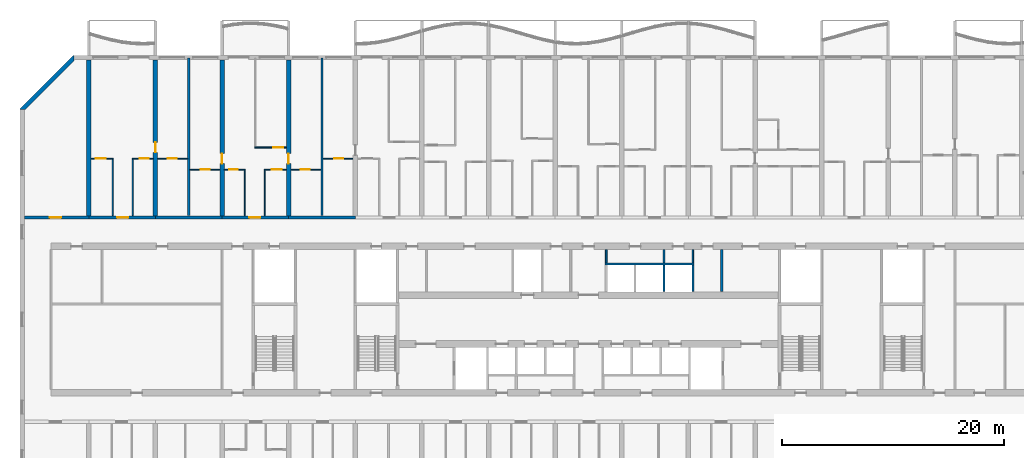
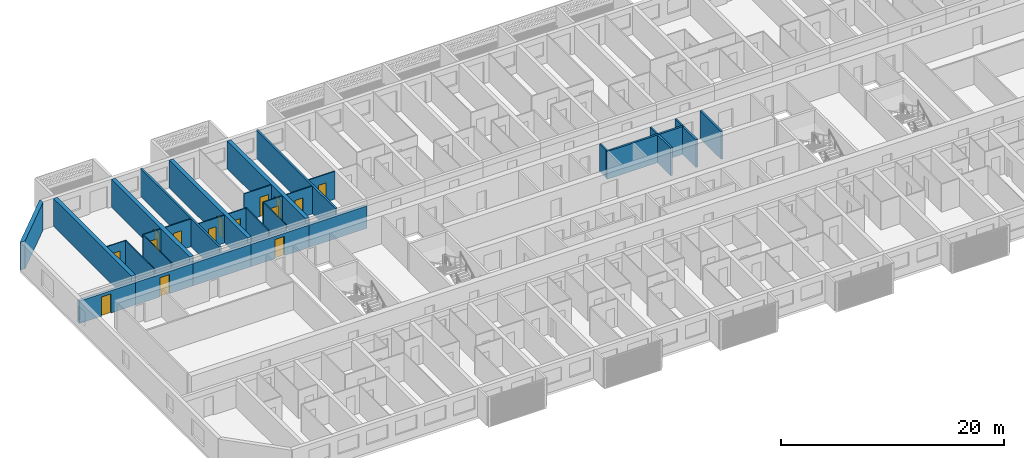
# One storey, part 12 of 44: 32 walls, 15 doors, 15 openings.
"""IFC4 building model written with IfcOpenShell, lengths in metres."""

from ifc_helpers import new_model, si_unit, direction, frame, frame_2d, origin, place, context, subcontext, project, spatial, polyline, rectangle, outline, extrude, material, layer, layer_set, type_object, element, fill, save


model = new_model("IFC4")

# Units and contexts
model_context = context("Model", 3, precision=1e-05, world=origin(), true_north=direction((0.0, 1.0)))
body_context = subcontext(model_context, "Body", "Model", "MODEL_VIEW")
ifc_project = project(units=[si_unit("LENGTHUNIT", "METRE"), si_unit("AREAUNIT", "SQUARE_METRE"), si_unit("VOLUMEUNIT", "CUBIC_METRE"), si_unit("PLANEANGLEUNIT", "RADIAN"), si_unit("MASSUNIT", "GRAM", prefix="KILO")], contexts=[model_context])

# Site, building, storey
site_placement = place(None, origin())
site = spatial("IfcSite", under=ifc_project, at=site_placement, CompositionType="ELEMENT")
building_placement = place(site_placement, origin())
building = spatial("IfcBuilding", under=site, at=building_placement, Name="Poui Terraces", CompositionType="ELEMENT")
storey_placement = place(building_placement, frame((0.0, 0.0, 26.699951171875)))
storey = spatial("IfcBuildingStorey", under=building, at=storey_placement, Name="L06", CompositionType="ELEMENT", Elevation=26.699951171875)

# Wall
ifc_material_1 = material(Name="Fire-rated plasterboard wall")
ifc_layer_1 = layer(ifc_material_1, 0.14990234375)
ifc_layer_set_1 = layer_set([ifc_layer_1], Name="Fire-rated plasterboard wall")
wall_type_1 = type_object("IfcWallType", Name="CORRIDOR WALL 150", PredefinedType="PARTITIONING", material=ifc_layer_set_1)
wall_1_placement = place(storey_placement, frame((52.60009765625, 26.300048828125, 0.0), z_axis=(0.0, 0.0, 1.0), x_axis=(0.0, 1.0, 0.0)))
element("IfcWall", 1, at=wall_1_placement, inside=storey, type_object=wall_type_1, Name="CORRIDOR WALL 150", PredefinedType="PARTITIONING", context=body_context, shape_type="SweptSolid", body=[
    extrude(rectangle(XDim=1.18994140625, YDim=0.14990234375, at=frame_2d((0.594970703125, 0.0))), origin(), (0.0, 0.0, 1.0), 3.050048828125),
])

# Wall, opening, door
ifc_material_2 = material(Name="Concrete 80 MPa", Category="concrete")
ifc_layer_2 = layer(ifc_material_2, 0.300048828125)
ifc_layer_set_2 = layer_set([ifc_layer_2], Name="Concrete 80 MPa")
wall_type_2 = type_object("IfcWallType", Name="CORRIDOR WALL 300 80MPa", PredefinedType="SHEAR", material=ifc_layer_set_2)
wall_2_placement = place(storey_placement, frame((0.199951171875, 30.39990234375, 0.0), z_axis=(0.0, 0.0, 1.0), x_axis=(1.0, 0.0, 0.0)))
wall_2 = element("IfcWall", 2, at=wall_2_placement, inside=storey, type_object=wall_type_2, Name="CORRIDOR WALL LINE E BAY 1", PredefinedType="SHEAR", context=body_context, shape_type="SweptSolid", body=[
    extrude(rectangle(XDim=5.800048828125, YDim=0.300048828125, at=frame_2d((2.89990234375, 0.0))), origin(), (0.0, 0.0, 1.0), 2.449951171875),
])
opening_1_placement = place(wall_2_placement, frame((2.300048828125, 0.0, 0.0)))
opening_1 = element("IfcOpeningElement", 3, at=opening_1_placement, cuts=wall_2, Name="Opening D100", PredefinedType="OPENING", context=body_context, shape_type="SweptSolid", body=[
    extrude(rectangle(XDim=1.0, YDim=2.10009765625, at=frame_2d((0.5, 1.050048828125))), frame((0.0, 0.16015625, 0.0), z_axis=(0.0, -1.0, 0.0), x_axis=(1.0, 0.0, 0.0)), (0.0, 0.0, 1.0), 0.320068359375),
])
ifc_material_3 = material(Name="Solid core timber door", Category="wood")
door_type_1 = type_object("IfcDoorType", Name="ACCESSIBLE INTERNAL DOOR 1000 X 2100", OperationType="NOTDEFINED", PredefinedType="DOOR", material=ifc_material_3)
door_1_placement = place(opening_1_placement, origin())
door_1 = element("IfcDoor", 4, at=door_1_placement, inside=storey, type_object=door_type_1, Name="ACCESSIBLE INTERNAL DOOR 031", OperationType="SINGLE_SWING_LEFT", OverallHeight=2.10009765625, OverallWidth=1.0, PredefinedType="DOOR", context=body_context, shape_type="SweptSolid", body=[
    extrude(rectangle(XDim=1.0, YDim=2.10009765625, at=frame_2d((0.5, 1.050048828125))), frame((0.0, 0.02490234375, 0.0), z_axis=(0.0, -1.0, 0.0), x_axis=(1.0, 0.0, 0.0)), (0.0, 0.0, 1.0), 0.050048828125),
])
fill(opening_1, door_1)

wall_3_placement = place(storey_placement, frame((6.0, 30.39990234375, 0.0), z_axis=(0.0, 0.0, 1.0), x_axis=(1.0, 0.0, 0.0)))
wall_3 = element("IfcWall", 5, at=wall_3_placement, inside=storey, type_object=wall_type_2, Name="CORRIDOR WALL LINE E BAY 2", PredefinedType="SHEAR", context=body_context, shape_type="SweptSolid", body=[
    extrude(rectangle(XDim=6.0, YDim=0.300048828125, at=frame_2d((3.0, 0.0))), origin(), (0.0, 0.0, 1.0), 2.449951171875),
])
opening_2_placement = place(wall_3_placement, frame((2.550048828125, 0.0, 0.0)))
opening_2 = element("IfcOpeningElement", 6, at=opening_2_placement, cuts=wall_3, Name="Opening FD30S", PredefinedType="OPENING", context=body_context, shape_type="SweptSolid", body=[
    extrude(rectangle(XDim=1.0, YDim=2.10009765625, at=frame_2d((0.5, 1.050048828125))), frame((0.0, 0.16015625, 0.0), z_axis=(0.0, -1.0, 0.0), x_axis=(1.0, 0.0, 0.0)), (0.0, 0.0, 1.0), 0.320068359375),
])
ifc_material_4 = material(Name="Steel fire door", Category="steel")
door_type_2 = type_object("IfcDoorType", Name="FLAT ENTRANCE DOOR 1000 X 2100", OperationType="NOTDEFINED", PredefinedType="DOOR", material=ifc_material_4)
door_2_placement = place(opening_2_placement, origin())
door_2 = element("IfcDoor", 7, at=door_2_placement, inside=storey, type_object=door_type_2, Name="FLAT ENTRANCE DOOR 034", OperationType="SINGLE_SWING_RIGHT", OverallHeight=2.10009765625, OverallWidth=1.0, PredefinedType="DOOR", context=body_context, shape_type="SweptSolid", body=[
    extrude(rectangle(XDim=1.0, YDim=2.10009765625, at=frame_2d((0.5, 1.050048828125))), frame((0.0, 0.02490234375, 0.0), z_axis=(0.0, -1.0, 0.0), x_axis=(1.0, 0.0, 0.0)), (0.0, 0.0, 1.0), 0.050048828125),
])
fill(opening_2, door_2)

# Wall
wall_4_placement = place(storey_placement, frame((12.0, 30.39990234375, 0.0), z_axis=(0.0, 0.0, 1.0), x_axis=(1.0, 0.0, 0.0)))
element("IfcWall", 8, at=wall_4_placement, inside=storey, type_object=wall_type_2, Name="CORRIDOR WALL LINE E BAY 3", PredefinedType="SHEAR", context=body_context, shape_type="SweptSolid", body=[
    extrude(rectangle(XDim=6.0, YDim=0.300048828125, at=frame_2d((3.0, 0.0))), origin(), (0.0, 0.0, 1.0), 2.449951171875),
])

# Wall, opening, door
wall_5_placement = place(storey_placement, frame((18.0, 30.39990234375, 0.0), z_axis=(0.0, 0.0, 1.0), x_axis=(1.0, 0.0, 0.0)))
wall_5 = element("IfcWall", 9, at=wall_5_placement, inside=storey, type_object=wall_type_2, Name="CORRIDOR WALL LINE E BAY 4", PredefinedType="SHEAR", context=body_context, shape_type="SweptSolid", body=[
    extrude(rectangle(XDim=6.0, YDim=0.300048828125, at=frame_2d((3.0, 0.0))), origin(), (0.0, 0.0, 1.0), 2.449951171875),
])
opening_3_placement = place(wall_5_placement, frame((2.449951171875, 0.0, 0.0)))
opening_3 = element("IfcOpeningElement", 10, at=opening_3_placement, cuts=wall_5, Name="Opening FD30S", PredefinedType="OPENING", context=body_context, shape_type="SweptSolid", body=[
    extrude(rectangle(XDim=1.0, YDim=2.10009765625, at=frame_2d((0.5, 1.050048828125))), frame((0.0, 0.16015625, 0.0), z_axis=(0.0, -1.0, 0.0), x_axis=(1.0, 0.0, 0.0)), (0.0, 0.0, 1.0), 0.320068359375),
])
door_3_placement = place(opening_3_placement, origin())
door_3 = element("IfcDoor", 11, at=door_3_placement, inside=storey, type_object=door_type_2, Name="FLAT ENTRANCE DOOR 041", OperationType="SINGLE_SWING_LEFT", OverallHeight=2.10009765625, OverallWidth=1.0, PredefinedType="DOOR", context=body_context, shape_type="SweptSolid", body=[
    extrude(rectangle(XDim=1.0, YDim=2.10009765625, at=frame_2d((0.5, 1.050048828125))), frame((0.0, 0.02490234375, 0.0), z_axis=(0.0, -1.0, 0.0), x_axis=(1.0, 0.0, 0.0)), (0.0, 0.0, 1.0), 0.050048828125),
])
fill(opening_3, door_3)

# Walls
wall_6_placement = place(storey_placement, frame((24.0, 30.39990234375, 0.0), z_axis=(0.0, 0.0, 1.0), x_axis=(1.0, 0.0, 0.0)))
element("IfcWall", 12, at=wall_6_placement, inside=storey, type_object=wall_type_2, Name="CORRIDOR WALL LINE E BAY 5", PredefinedType="SHEAR", context=body_context, shape_type="SweptSolid", body=[
    extrude(rectangle(XDim=6.0, YDim=0.300048828125, at=frame_2d((3.0, 0.0))), origin(), (0.0, 0.0, 1.0), 2.449951171875),
])
ifc_layer_3 = layer(ifc_material_2, 0.39990234375)
ifc_layer_set_3 = layer_set([ifc_layer_3], Name="Concrete 80 MPa")
wall_type_3 = type_object("IfcWallType", Name="CROSS WALL 400 80MPa", PredefinedType="SHEAR", material=ifc_layer_set_3)
wall_7_placement = place(storey_placement, frame((6.0, 30.550048828125, 0.0), z_axis=(0.0, 0.0, 1.0), x_axis=(0.0, 1.0, 0.0)))
element("IfcWall", 13, at=wall_7_placement, inside=storey, type_object=wall_type_3, Name="CROSS WALL LINE 2 NORTH", PredefinedType="SHEAR", context=body_context, shape_type="SweptSolid", body=[
    extrude(rectangle(XDim=14.050048828125, YDim=0.39990234375, at=frame_2d((7.02490234375, 0.0))), origin(), (0.0, 0.0, 1.0), 3.050048828125),
])

# Wall, opening, door
wall_8_placement = place(storey_placement, frame((12.0, 30.550048828125, 0.0), z_axis=(0.0, 0.0, 1.0), x_axis=(0.0, 1.0, 0.0)))
wall_8 = element("IfcWall", 14, at=wall_8_placement, inside=storey, type_object=wall_type_3, Name="CROSS WALL LINE 3 NORTH", PredefinedType="SHEAR", context=body_context, shape_type="SweptSolid", body=[
    extrude(rectangle(XDim=14.050048828125, YDim=0.39990234375, at=frame_2d((7.02490234375, 0.0))), origin(), (0.0, 0.0, 1.0), 3.050048828125),
])
opening_4_placement = place(wall_8_placement, frame((5.699951171875, 0.0, 0.0)))
opening_4 = element("IfcOpeningElement", 15, at=opening_4_placement, cuts=wall_8, Name="Opening D90", PredefinedType="OPENING", context=body_context, shape_type="SweptSolid", body=[
    extrude(rectangle(XDim=0.89990234375, YDim=2.10009765625, at=frame_2d((0.449951171875, 1.050048828125))), frame((0.0, 0.2099609375, 0.0), z_axis=(0.0, -1.0, 0.0), x_axis=(1.0, 0.0, 0.0)), (0.0, 0.0, 1.0), 0.419921875),
])
door_type_3 = type_object("IfcDoorType", Name="INTERNAL DOOR 900 X 2100", OperationType="NOTDEFINED", PredefinedType="DOOR", material=ifc_material_3)
door_4_placement = place(opening_4_placement, frame((0.89990234375, 0.0, 0.0), z_axis=(0.0, 0.0, 1.0), x_axis=(-1.0, 0.0, 0.0)))
door_4 = element("IfcDoor", 16, at=door_4_placement, inside=storey, type_object=door_type_3, Name="INTERNAL DOOR 036", OperationType="SINGLE_SWING_RIGHT", OverallHeight=2.10009765625, OverallWidth=0.89990234375, PredefinedType="DOOR", context=body_context, shape_type="SweptSolid", body=[
    extrude(rectangle(XDim=0.89990234375, YDim=2.10009765625, at=frame_2d((0.449951171875, 1.050048828125))), frame((0.0, 0.02490234375, 0.0), z_axis=(0.0, -1.0, 0.0), x_axis=(1.0, 0.0, 0.0)), (0.0, 0.0, 1.0), 0.050048828125),
])
fill(opening_4, door_4)

wall_9_placement = place(storey_placement, frame((18.0, 30.550048828125, 0.0), z_axis=(0.0, 0.0, 1.0), x_axis=(0.0, 1.0, 0.0)))
wall_9 = element("IfcWall", 17, at=wall_9_placement, inside=storey, type_object=wall_type_3, Name="CROSS WALL LINE 4 NORTH", PredefinedType="SHEAR", context=body_context, shape_type="SweptSolid", body=[
    extrude(rectangle(XDim=14.050048828125, YDim=0.39990234375, at=frame_2d((7.02490234375, 0.0))), origin(), (0.0, 0.0, 1.0), 3.050048828125),
])
opening_5_placement = place(wall_9_placement, frame((4.699951171875, 0.0, 0.0)))
opening_5 = element("IfcOpeningElement", 18, at=opening_5_placement, cuts=wall_9, Name="Opening D90", PredefinedType="OPENING", context=body_context, shape_type="SweptSolid", body=[
    extrude(rectangle(XDim=0.89990234375, YDim=2.10009765625, at=frame_2d((0.449951171875, 1.050048828125))), frame((0.0, 0.2099609375, 0.0), z_axis=(0.0, -1.0, 0.0), x_axis=(1.0, 0.0, 0.0)), (0.0, 0.0, 1.0), 0.419921875),
])
door_5_placement = place(opening_5_placement, origin())
door_5 = element("IfcDoor", 19, at=door_5_placement, inside=storey, type_object=door_type_3, Name="INTERNAL DOOR 039", OperationType="SINGLE_SWING_LEFT", OverallHeight=2.10009765625, OverallWidth=0.89990234375, PredefinedType="DOOR", context=body_context, shape_type="SweptSolid", body=[
    extrude(rectangle(XDim=0.89990234375, YDim=2.10009765625, at=frame_2d((0.449951171875, 1.050048828125))), frame((0.0, 0.02490234375, 0.0), z_axis=(0.0, -1.0, 0.0), x_axis=(1.0, 0.0, 0.0)), (0.0, 0.0, 1.0), 0.050048828125),
])
fill(opening_5, door_5)

wall_10_placement = place(storey_placement, frame((24.0, 30.550048828125, 0.0), z_axis=(0.0, 0.0, 1.0), x_axis=(0.0, 1.0, 0.0)))
wall_10 = element("IfcWall", 20, at=wall_10_placement, inside=storey, type_object=wall_type_3, Name="CROSS WALL LINE 5 NORTH", PredefinedType="SHEAR", context=body_context, shape_type="SweptSolid", body=[
    extrude(rectangle(XDim=14.050048828125, YDim=0.39990234375, at=frame_2d((7.02490234375, 0.0))), origin(), (0.0, 0.0, 1.0), 3.050048828125),
])
opening_6_placement = place(wall_10_placement, frame((4.699951171875, 0.0, 0.0)))
opening_6 = element("IfcOpeningElement", 21, at=opening_6_placement, cuts=wall_10, Name="Opening D90", PredefinedType="OPENING", context=body_context, shape_type="SweptSolid", body=[
    extrude(rectangle(XDim=0.89990234375, YDim=2.10009765625, at=frame_2d((0.449951171875, 1.050048828125))), frame((0.0, 0.2099609375, 0.0), z_axis=(0.0, -1.0, 0.0), x_axis=(1.0, 0.0, 0.0)), (0.0, 0.0, 1.0), 0.419921875),
])
door_6_placement = place(opening_6_placement, frame((0.89990234375, 0.0, 0.0), z_axis=(0.0, 0.0, 1.0), x_axis=(-1.0, 0.0, 0.0)))
door_6 = element("IfcDoor", 22, at=door_6_placement, inside=storey, type_object=door_type_3, Name="INTERNAL DOOR 044", OperationType="SINGLE_SWING_RIGHT", OverallHeight=2.10009765625, OverallWidth=0.89990234375, PredefinedType="DOOR", context=body_context, shape_type="SweptSolid", body=[
    extrude(rectangle(XDim=0.89990234375, YDim=2.10009765625, at=frame_2d((0.449951171875, 1.050048828125))), frame((0.0, 0.02490234375, 0.0), z_axis=(0.0, -1.0, 0.0), x_axis=(1.0, 0.0, 0.0)), (0.0, 0.0, 1.0), 0.050048828125),
])
fill(opening_6, door_6)

ifc_material_5 = material(Name="Plasterboard partition")
ifc_layer_4 = layer(ifc_material_5, 0.10009765625)
ifc_layer_set_4 = layer_set([ifc_layer_4], Name="Plasterboard partition")
wall_type_4 = type_object("IfcWallType", Name="FLAT PARTITION 100", PredefinedType="PARTITIONING", material=ifc_layer_set_4)
wall_11_placement = place(storey_placement, frame((15.10009765625, 34.699951171875, 0.0), z_axis=(0.0, 0.0, 1.0), x_axis=(1.0, 0.0, 0.0)))
wall_11 = element("IfcWall", 23, at=wall_11_placement, inside=storey, type_object=wall_type_4, Name="FLAT PARTITION 100", PredefinedType="PARTITIONING", context=body_context, shape_type="SweptSolid", body=[
    extrude(rectangle(XDim=2.68994140625, YDim=0.10009765625, at=frame_2d((1.344970703125, 0.0))), origin(), (0.0, 0.0, 1.0), 3.050048828125),
])
opening_7_placement = place(wall_11_placement, frame((1.0, 0.0, 0.0)))
opening_7 = element("IfcOpeningElement", 24, at=opening_7_placement, cuts=wall_11, Name="Opening D80", PredefinedType="OPENING", context=body_context, shape_type="SweptSolid", body=[
    extrude(rectangle(XDim=0.800048828125, YDim=2.10009765625, at=frame_2d((0.39990234375, 1.050048828125))), frame((0.0, 0.06005859375, 0.0), z_axis=(0.0, -1.0, 0.0), x_axis=(1.0, 0.0, 0.0)), (0.0, 0.0, 1.0), 0.1201171875),
])
door_type_4 = type_object("IfcDoorType", Name="BATHROOM, LAUNDRY AND STORE DOOR 800 X 2100", OperationType="NOTDEFINED", PredefinedType="DOOR", material=ifc_material_3)
door_7_placement = place(opening_7_placement, frame((0.800048828125, 0.0, 0.0), z_axis=(0.0, 0.0, 1.0), x_axis=(-1.0, 0.0, 0.0)))
door_7 = element("IfcDoor", 25, at=door_7_placement, inside=storey, type_object=door_type_4, Name="BATHROOM, LAUNDRY AND STORE DOOR 037", OperationType="SINGLE_SWING_RIGHT", OverallHeight=2.10009765625, OverallWidth=0.800048828125, PredefinedType="DOOR", context=body_context, shape_type="SweptSolid", body=[
    extrude(rectangle(XDim=0.800048828125, YDim=2.10009765625, at=frame_2d((0.39990234375, 1.050048828125))), frame((0.0, 0.02490234375, 0.0), z_axis=(0.0, -1.0, 0.0), x_axis=(1.0, 0.0, 0.0)), (0.0, 0.0, 1.0), 0.050048828125),
])
fill(opening_7, door_7)

wall_12_placement = place(storey_placement, frame((18.2099609375, 34.699951171875, 0.0), z_axis=(0.0, 0.0, 1.0), x_axis=(1.0, 0.0, 0.0)))
wall_12 = element("IfcWall", 26, at=wall_12_placement, inside=storey, type_object=wall_type_4, Name="FLAT PARTITION 100", PredefinedType="PARTITIONING", context=body_context, shape_type="SweptSolid", body=[
    extrude(rectangle(XDim=1.89013671875, YDim=0.10009765625, at=frame_2d((0.945068359375, 0.0))), origin(), (0.0, 0.0, 1.0), 3.050048828125),
])
opening_8_placement = place(wall_12_placement, frame((0.4150390625, 0.0, 0.0)))
opening_8 = element("IfcOpeningElement", 27, at=opening_8_placement, cuts=wall_12, Name="Opening D80", PredefinedType="OPENING", context=body_context, shape_type="SweptSolid", body=[
    extrude(rectangle(XDim=0.800048828125, YDim=2.10009765625, at=frame_2d((0.39990234375, 1.050048828125))), frame((0.0, 0.06005859375, 0.0), z_axis=(0.0, -1.0, 0.0), x_axis=(1.0, 0.0, 0.0)), (0.0, 0.0, 1.0), 0.1201171875),
])
door_8_placement = place(opening_8_placement, frame((0.800048828125, 0.0, 0.0), z_axis=(0.0, 0.0, 1.0), x_axis=(-1.0, 0.0, 0.0)))
door_8 = element("IfcDoor", 28, at=door_8_placement, inside=storey, type_object=door_type_4, Name="BATHROOM, LAUNDRY AND STORE DOOR 040", OperationType="SINGLE_SWING_RIGHT", OverallHeight=2.10009765625, OverallWidth=0.800048828125, PredefinedType="DOOR", context=body_context, shape_type="SweptSolid", body=[
    extrude(rectangle(XDim=0.800048828125, YDim=2.10009765625, at=frame_2d((0.39990234375, 1.050048828125))), frame((0.0, 0.02490234375, 0.0), z_axis=(0.0, -1.0, 0.0), x_axis=(1.0, 0.0, 0.0)), (0.0, 0.0, 1.0), 0.050048828125),
])
fill(opening_8, door_8)

wall_13_placement = place(storey_placement, frame((21.800048828125, 34.699951171875, 0.0), z_axis=(0.0, 0.0, 1.0), x_axis=(1.0, 0.0, 0.0)))
wall_13 = element("IfcWall", 29, at=wall_13_placement, inside=storey, type_object=wall_type_4, Name="FLAT PARTITION 100", PredefinedType="PARTITIONING", context=body_context, shape_type="SweptSolid", body=[
    extrude(rectangle(XDim=1.989990234375, YDim=0.10009765625, at=frame_2d((0.9951171875, 0.0))), origin(), (0.0, 0.0, 1.0), 3.050048828125),
])
opening_9_placement = place(wall_13_placement, frame((0.675048828125, 0.0, 0.0)))
opening_9 = element("IfcOpeningElement", 30, at=opening_9_placement, cuts=wall_13, Name="Opening D90", PredefinedType="OPENING", context=body_context, shape_type="SweptSolid", body=[
    extrude(rectangle(XDim=0.89990234375, YDim=2.10009765625, at=frame_2d((0.449951171875, 1.050048828125))), frame((0.0, 0.06005859375, 0.0), z_axis=(0.0, -1.0, 0.0), x_axis=(1.0, 0.0, 0.0)), (0.0, 0.0, 1.0), 0.1201171875),
])
door_9_placement = place(opening_9_placement, frame((0.89990234375, 0.0, 0.0), z_axis=(0.0, 0.0, 1.0), x_axis=(-1.0, 0.0, 0.0)))
door_9 = element("IfcDoor", 31, at=door_9_placement, inside=storey, type_object=door_type_3, Name="INTERNAL DOOR 042", OperationType="SINGLE_SWING_LEFT", OverallHeight=2.10009765625, OverallWidth=0.89990234375, PredefinedType="DOOR", context=body_context, shape_type="SweptSolid", body=[
    extrude(rectangle(XDim=0.89990234375, YDim=2.10009765625, at=frame_2d((0.449951171875, 1.050048828125))), frame((0.0, 0.02490234375, 0.0), z_axis=(0.0, -1.0, 0.0), x_axis=(1.0, 0.0, 0.0)), (0.0, 0.0, 1.0), 0.050048828125),
])
fill(opening_9, door_9)

wall_14_placement = place(storey_placement, frame((24.2099609375, 34.699951171875, 0.0), z_axis=(0.0, 0.0, 1.0), x_axis=(1.0, 0.0, 0.0)))
wall_14 = element("IfcWall", 32, at=wall_14_placement, inside=storey, type_object=wall_type_4, Name="FLAT PARTITION 100", PredefinedType="PARTITIONING", context=body_context, shape_type="SweptSolid", body=[
    extrude(rectangle(XDim=2.68994140625, YDim=0.10009765625, at=frame_2d((1.344970703125, 0.0))), origin(), (0.0, 0.0, 1.0), 3.050048828125),
])
opening_10_placement = place(wall_14_placement, frame((0.889892578125, 0.0, 0.0)))
opening_10 = element("IfcOpeningElement", 33, at=opening_10_placement, cuts=wall_14, Name="Opening D80", PredefinedType="OPENING", context=body_context, shape_type="SweptSolid", body=[
    extrude(rectangle(XDim=0.800048828125, YDim=2.10009765625, at=frame_2d((0.39990234375, 1.050048828125))), frame((0.0, 0.06005859375, 0.0), z_axis=(0.0, -1.0, 0.0), x_axis=(1.0, 0.0, 0.0)), (0.0, 0.0, 1.0), 0.1201171875),
])
door_10_placement = place(opening_10_placement, frame((0.800048828125, 0.0, 0.0), z_axis=(0.0, 0.0, 1.0), x_axis=(-1.0, 0.0, 0.0)))
door_10 = element("IfcDoor", 34, at=door_10_placement, inside=storey, type_object=door_type_4, Name="BATHROOM, LAUNDRY AND STORE DOOR 038", OperationType="SINGLE_SWING_RIGHT", OverallHeight=2.10009765625, OverallWidth=0.800048828125, PredefinedType="DOOR", context=body_context, shape_type="SweptSolid", body=[
    extrude(rectangle(XDim=0.800048828125, YDim=2.10009765625, at=frame_2d((0.39990234375, 1.050048828125))), frame((0.0, 0.02490234375, 0.0), z_axis=(0.0, -1.0, 0.0), x_axis=(1.0, 0.0, 0.0)), (0.0, 0.0, 1.0), 0.050048828125),
])
fill(opening_10, door_10)

wall_15_placement = place(storey_placement, frame((6.2099609375, 35.699951171875, 0.0), z_axis=(0.0, 0.0, 1.0), x_axis=(1.0, 0.0, 0.0)))
wall_15 = element("IfcWall", 35, at=wall_15_placement, inside=storey, type_object=wall_type_4, Name="FLAT PARTITION 100", PredefinedType="PARTITIONING", context=body_context, shape_type="SweptSolid", body=[
    extrude(rectangle(XDim=1.989990234375, YDim=0.10009765625, at=frame_2d((0.9951171875, 0.0))), origin(), (0.0, 0.0, 1.0), 3.050048828125),
])
opening_11_placement = place(wall_15_placement, frame((0.4150390625, 0.0, 0.0)))
opening_11 = element("IfcOpeningElement", 36, at=opening_11_placement, cuts=wall_15, Name="Opening D90", PredefinedType="OPENING", context=body_context, shape_type="SweptSolid", body=[
    extrude(rectangle(XDim=0.89990234375, YDim=2.10009765625, at=frame_2d((0.449951171875, 1.050048828125))), frame((0.0, 0.06005859375, 0.0), z_axis=(0.0, -1.0, 0.0), x_axis=(1.0, 0.0, 0.0)), (0.0, 0.0, 1.0), 0.1201171875),
])
door_11_placement = place(opening_11_placement, frame((0.89990234375, 0.0, 0.0), z_axis=(0.0, 0.0, 1.0), x_axis=(-1.0, 0.0, 0.0)))
door_11 = element("IfcDoor", 37, at=door_11_placement, inside=storey, type_object=door_type_3, Name="INTERNAL DOOR 033", OperationType="SINGLE_SWING_RIGHT", OverallHeight=2.10009765625, OverallWidth=0.89990234375, PredefinedType="DOOR", context=body_context, shape_type="SweptSolid", body=[
    extrude(rectangle(XDim=0.89990234375, YDim=2.10009765625, at=frame_2d((0.449951171875, 1.050048828125))), frame((0.0, 0.02490234375, 0.0), z_axis=(0.0, -1.0, 0.0), x_axis=(1.0, 0.0, 0.0)), (0.0, 0.0, 1.0), 0.050048828125),
])
fill(opening_11, door_11)

wall_16_placement = place(storey_placement, frame((9.89990234375, 35.699951171875, 0.0), z_axis=(0.0, 0.0, 1.0), x_axis=(1.0, 0.0, 0.0)))
wall_16 = element("IfcWall", 38, at=wall_16_placement, inside=storey, type_object=wall_type_4, Name="FLAT PARTITION 100", PredefinedType="PARTITIONING", context=body_context, shape_type="SweptSolid", body=[
    extrude(rectangle(XDim=1.89013671875, YDim=0.10009765625, at=frame_2d((0.945068359375, 0.0))), origin(), (0.0, 0.0, 1.0), 3.050048828125),
])
opening_12_placement = place(wall_16_placement, frame((0.675048828125, 0.0, 0.0)))
opening_12 = element("IfcOpeningElement", 39, at=opening_12_placement, cuts=wall_16, Name="Opening D80", PredefinedType="OPENING", context=body_context, shape_type="SweptSolid", body=[
    extrude(rectangle(XDim=0.800048828125, YDim=2.10009765625, at=frame_2d((0.39990234375, 1.050048828125))), frame((0.0, 0.06005859375, 0.0), z_axis=(0.0, -1.0, 0.0), x_axis=(1.0, 0.0, 0.0)), (0.0, 0.0, 1.0), 0.1201171875),
])
door_12_placement = place(opening_12_placement, frame((0.800048828125, 0.0, 0.0), z_axis=(0.0, 0.0, 1.0), x_axis=(-1.0, 0.0, 0.0)))
door_12 = element("IfcDoor", 40, at=door_12_placement, inside=storey, type_object=door_type_4, Name="BATHROOM, LAUNDRY AND STORE DOOR 035", OperationType="SINGLE_SWING_LEFT", OverallHeight=2.10009765625, OverallWidth=0.800048828125, PredefinedType="DOOR", context=body_context, shape_type="SweptSolid", body=[
    extrude(rectangle(XDim=0.800048828125, YDim=2.10009765625, at=frame_2d((0.39990234375, 1.050048828125))), frame((0.0, 0.02490234375, 0.0), z_axis=(0.0, -1.0, 0.0), x_axis=(1.0, 0.0, 0.0)), (0.0, 0.0, 1.0), 0.050048828125),
])
fill(opening_12, door_12)

wall_17_placement = place(storey_placement, frame((12.2099609375, 35.699951171875, 0.0), z_axis=(0.0, 0.0, 1.0), x_axis=(1.0, 0.0, 0.0)))
wall_17 = element("IfcWall", 41, at=wall_17_placement, inside=storey, type_object=wall_type_4, Name="FLAT PARTITION 100", PredefinedType="PARTITIONING", context=body_context, shape_type="SweptSolid", body=[
    extrude(rectangle(XDim=2.68994140625, YDim=0.10009765625, at=frame_2d((1.344970703125, 0.0))), origin(), (0.0, 0.0, 1.0), 3.050048828125),
])
opening_13_placement = place(wall_17_placement, frame((0.889892578125, 0.0, 0.0)))
opening_13 = element("IfcOpeningElement", 42, at=opening_13_placement, cuts=wall_17, Name="Opening D80", PredefinedType="OPENING", context=body_context, shape_type="SweptSolid", body=[
    extrude(rectangle(XDim=0.800048828125, YDim=2.10009765625, at=frame_2d((0.39990234375, 1.050048828125))), frame((0.0, 0.06005859375, 0.0), z_axis=(0.0, -1.0, 0.0), x_axis=(1.0, 0.0, 0.0)), (0.0, 0.0, 1.0), 0.1201171875),
])
door_13_placement = place(opening_13_placement, frame((0.800048828125, 0.0, 0.0), z_axis=(0.0, 0.0, 1.0), x_axis=(-1.0, 0.0, 0.0)))
door_13 = element("IfcDoor", 43, at=door_13_placement, inside=storey, type_object=door_type_4, Name="BATHROOM, LAUNDRY AND STORE DOOR 032", OperationType="SINGLE_SWING_LEFT", OverallHeight=2.10009765625, OverallWidth=0.800048828125, PredefinedType="DOOR", context=body_context, shape_type="SweptSolid", body=[
    extrude(rectangle(XDim=0.800048828125, YDim=2.10009765625, at=frame_2d((0.39990234375, 1.050048828125))), frame((0.0, 0.02490234375, 0.0), z_axis=(0.0, -1.0, 0.0), x_axis=(1.0, 0.0, 0.0)), (0.0, 0.0, 1.0), 0.050048828125),
])
fill(opening_13, door_13)

wall_18_placement = place(storey_placement, frame((27.10009765625, 35.699951171875, 0.0), z_axis=(0.0, 0.0, 1.0), x_axis=(1.0, 0.0, 0.0)))
wall_18 = element("IfcWall", 44, at=wall_18_placement, inside=storey, type_object=wall_type_4, Name="FLAT PARTITION 100", PredefinedType="PARTITIONING", context=body_context, shape_type="SweptSolid", body=[
    extrude(rectangle(XDim=2.68994140625, YDim=0.10009765625, at=frame_2d((1.344970703125, 0.0))), origin(), (0.0, 0.0, 1.0), 3.050048828125),
])
opening_14_placement = place(wall_18_placement, frame((1.0, 0.0, 0.0)))
opening_14 = element("IfcOpeningElement", 45, at=opening_14_placement, cuts=wall_18, Name="Opening D80", PredefinedType="OPENING", context=body_context, shape_type="SweptSolid", body=[
    extrude(rectangle(XDim=0.800048828125, YDim=2.10009765625, at=frame_2d((0.39990234375, 1.050048828125))), frame((0.0, 0.06005859375, 0.0), z_axis=(0.0, -1.0, 0.0), x_axis=(1.0, 0.0, 0.0)), (0.0, 0.0, 1.0), 0.1201171875),
])
door_14_placement = place(opening_14_placement, frame((0.800048828125, 0.0, 0.0), z_axis=(0.0, 0.0, 1.0), x_axis=(-1.0, 0.0, 0.0)))
door_14 = element("IfcDoor", 46, at=door_14_placement, inside=storey, type_object=door_type_4, Name="BATHROOM, LAUNDRY AND STORE DOOR 045", OperationType="SINGLE_SWING_LEFT", OverallHeight=2.10009765625, OverallWidth=0.800048828125, PredefinedType="DOOR", context=body_context, shape_type="SweptSolid", body=[
    extrude(rectangle(XDim=0.800048828125, YDim=2.10009765625, at=frame_2d((0.39990234375, 1.050048828125))), frame((0.0, 0.02490234375, 0.0), z_axis=(0.0, -1.0, 0.0), x_axis=(1.0, 0.0, 0.0)), (0.0, 0.0, 1.0), 0.050048828125),
])
fill(opening_14, door_14)

wall_19_placement = place(storey_placement, frame((20.949951171875, 36.699951171875, 0.0), z_axis=(0.0, 0.0, 1.0), x_axis=(1.0, 0.0, 0.0)))
wall_19 = element("IfcWall", 47, at=wall_19_placement, inside=storey, type_object=wall_type_4, Name="FLAT PARTITION 100", PredefinedType="PARTITIONING", context=body_context, shape_type="SweptSolid", body=[
    extrude(rectangle(XDim=2.840087890625, YDim=0.10009765625, at=frame_2d((1.419921875, 0.0))), origin(), (0.0, 0.0, 1.0), 3.050048828125),
])
opening_15_placement = place(wall_19_placement, frame((1.64990234375, 0.0, 0.0)))
opening_15 = element("IfcOpeningElement", 48, at=opening_15_placement, cuts=wall_19, Name="Opening D90", PredefinedType="OPENING", context=body_context, shape_type="SweptSolid", body=[
    extrude(rectangle(XDim=0.89990234375, YDim=2.10009765625, at=frame_2d((0.449951171875, 1.050048828125))), frame((0.0, 0.06005859375, 0.0), z_axis=(0.0, -1.0, 0.0), x_axis=(1.0, 0.0, 0.0)), (0.0, 0.0, 1.0), 0.1201171875),
])
door_15_placement = place(opening_15_placement, frame((0.89990234375, 0.0, 0.0), z_axis=(0.0, 0.0, 1.0), x_axis=(-1.0, 0.0, 0.0)))
door_15 = element("IfcDoor", 49, at=door_15_placement, inside=storey, type_object=door_type_3, Name="INTERNAL DOOR 043", OperationType="SINGLE_SWING_RIGHT", OverallHeight=2.10009765625, OverallWidth=0.89990234375, PredefinedType="DOOR", context=body_context, shape_type="SweptSolid", body=[
    extrude(rectangle(XDim=0.89990234375, YDim=2.10009765625, at=frame_2d((0.449951171875, 1.050048828125))), frame((0.0, 0.02490234375, 0.0), z_axis=(0.0, -1.0, 0.0), x_axis=(1.0, 0.0, 0.0)), (0.0, 0.0, 1.0), 0.050048828125),
])
fill(opening_15, door_15)

# Walls
for number, where, z_axis, x_axis, name in (
    (50, (8.14990234375, 30.56005859375, 0.0), (0.0, 0.0, 1.0), (0.0, 1.0, 0.0), "FLAT PARTITION 100"),
    (51, (9.949951171875, 30.56005859375, 0.0), (0.0, 0.0, 1.0), (0.0, 1.0, 0.0), "FLAT PARTITION 100"),
):
    element("IfcWall", number, at=place(storey_placement, frame(where, z_axis=z_axis, x_axis=x_axis)), inside=storey, type_object=wall_type_4, Name=name, PredefinedType="PARTITIONING", context=body_context, shape_type="SweptSolid", body=[
        extrude(rectangle(XDim=5.08984375, YDim=0.10009765625, at=frame_2d((2.544921875, 0.0))), origin(), (0.0, 0.0, 1.0), 3.050048828125),
    ])
for number, where, z_axis, x_axis, name in (
    (52, (20.050048828125, 30.56005859375, 0.0), (0.0, 0.0, 1.0), (0.0, 1.0, 0.0), "FLAT PARTITION 100"),
    (53, (21.85009765625, 30.56005859375, 0.0), (0.0, 0.0, 1.0), (0.0, 1.0, 0.0), "FLAT PARTITION 100"),
):
    element("IfcWall", number, at=place(storey_placement, frame(where, z_axis=z_axis, x_axis=x_axis)), inside=storey, type_object=wall_type_4, Name=name, PredefinedType="PARTITIONING", context=body_context, shape_type="SweptSolid", body=[
        extrude(rectangle(XDim=4.08984375, YDim=0.10009765625, at=frame_2d((2.044921875, 0.0))), origin(), (0.0, 0.0, 1.0), 3.050048828125),
    ])
ifc_material_6 = material(Name="Fire-rated masonry wall", Category="masonry")
ifc_layer_5 = layer(ifc_material_6, 0.199951171875)
ifc_layer_set_5 = layer_set([ifc_layer_5], Name="Fire-rated masonry wall")
wall_type_5 = type_object("IfcWallType", Name="FLAT PARTY WALL 200", PredefinedType="PARTITIONING", material=ifc_layer_set_5)
for number, where, z_axis, x_axis, name in (
    (54, (15.0, 30.56005859375, 0.0), (0.0, 0.0, 1.0), (0.0, 1.0, 0.0), "FLAT PARTY WALL 200"),
    (55, (27.0, 30.56005859375, 0.0), (0.0, 0.0, 1.0), (0.0, 1.0, 0.0), "FLAT PARTY WALL 200"),
):
    element("IfcWall", number, at=place(storey_placement, frame(where, z_axis=z_axis, x_axis=x_axis)), inside=storey, type_object=wall_type_5, Name=name, PredefinedType="PARTITIONING", context=body_context, shape_type="SweptSolid", body=[
        extrude(rectangle(XDim=14.179931640625, YDim=0.199951171875, at=frame_2d((7.08984375, 0.0))), origin(), (0.0, 0.0, 1.0), 3.050048828125),
    ])
ifc_layer_6 = layer(ifc_material_5, 0.14990234375)
ifc_layer_set_6 = layer_set([ifc_layer_6], Name="Plasterboard partition")
wall_type_6 = type_object("IfcWallType", Name="PARTITION WALL 150", PredefinedType="PARTITIONING", material=ifc_layer_set_6)
for number, where, z_axis, x_axis, name in (
    (56, (57.800048828125, 26.300048828125, 0.0), (0.0, 0.0, 1.0), (0.0, 1.0, 0.0), "PARTITION WALL 150"),
    (57, (60.39990234375, 26.300048828125, 0.0), (0.0, 0.0, 1.0), (0.0, 1.0, 0.0), "PARTITION WALL 150"),
):
    element("IfcWall", number, at=place(storey_placement, frame(where, z_axis=z_axis, x_axis=x_axis)), inside=storey, type_object=wall_type_6, Name=name, PredefinedType="PARTITIONING", context=body_context, shape_type="SweptSolid", body=[
        extrude(rectangle(XDim=1.18994140625, YDim=0.14990234375, at=frame_2d((0.594970703125, 0.0))), origin(), (0.0, 0.0, 1.0), 3.050048828125),
    ])
ifc_layer_7 = layer(ifc_material_6, 0.199951171875)
ifc_layer_set_7 = layer_set([ifc_layer_7], Name="Fire-rated masonry wall")
wall_type_7 = type_object("IfcWallType", Name="PLANT ROOM WALL 200", PredefinedType="PARTITIONING", material=ifc_layer_set_7)
wall_20_placement = place(storey_placement, frame((63.0, 23.7099609375, 0.0), z_axis=(0.0, 0.0, 1.0), x_axis=(0.0, 1.0, 0.0)))
element("IfcWall", 58, at=wall_20_placement, inside=storey, type_object=wall_type_7, Name="PLANT ROOM WALL 200", PredefinedType="PARTITIONING", context=body_context, shape_type="SweptSolid", body=[
    extrude(rectangle(XDim=3.780029296875, YDim=0.199951171875, at=frame_2d((1.89013671875, 0.0))), origin(), (0.0, 0.0, 1.0), 3.050048828125),
])
ifc_material_7 = material(Name="Fire-rated masonry shaft wall", Category="masonry")
ifc_layer_8 = layer(ifc_material_7, 0.199951171875)
ifc_layer_set_8 = layer_set([ifc_layer_8], Name="Fire-rated masonry shaft wall")
wall_type_8 = type_object("IfcWallType", Name="SHAFT WALL 200", PredefinedType="PARTITIONING", material=ifc_layer_set_8)
wall_21_placement = place(storey_placement, frame((52.5, 26.199951171875, 0.0), z_axis=(0.0, 0.0, 1.0), x_axis=(1.0, 0.0, 0.0)))
element("IfcWall", 59, at=wall_21_placement, inside=storey, type_object=wall_type_8, Name="SHAFT WALL 200", PredefinedType="PARTITIONING", context=body_context, shape_type="SweptSolid", body=[
    extrude(rectangle(XDim=8.0, YDim=0.199951171875, at=frame_2d((4.0, 0.0))), origin(), (0.0, 0.0, 1.0), 3.050048828125),
])
for number, where, z_axis, x_axis, name in (
    (60, (57.800048828125, 23.7099609375, 0.0), (0.0, 0.0, 1.0), (0.0, 1.0, 0.0), "SHAFT WALL 200"),
    (61, (60.39990234375, 23.7099609375, 0.0), (0.0, 0.0, 1.0), (0.0, 1.0, 0.0), "SHAFT WALL 200"),
):
    element("IfcWall", number, at=place(storey_placement, frame(where, z_axis=z_axis, x_axis=x_axis)), inside=storey, type_object=wall_type_8, Name=name, PredefinedType="PARTITIONING", context=body_context, shape_type="SweptSolid", body=[
        extrude(rectangle(XDim=2.39013671875, YDim=0.199951171875, at=frame_2d((1.195068359375, 0.0))), origin(), (0.0, 0.0, 1.0), 3.050048828125),
    ])
ifc_material_8 = material(Name="Precast concrete 40 MPa", Category="concrete")
ifc_layer_9 = layer(ifc_material_8, 0.39990234375)
ifc_layer_set_9 = layer_set([ifc_layer_9], Name="Precast concrete 40 MPa")
wall_type_9 = type_object("IfcWallType", Name="TERRACOTTA CLAD CHAMFER WALL 400", PredefinedType="STANDARD", material=ifc_layer_set_9)
wall_22_placement = place(storey_placement, origin())
element("IfcWall", 62, at=wall_22_placement, inside=storey, type_object=wall_type_9, Name="CHAMFER WALL CH05", PredefinedType="STANDARD", context=body_context, shape_type="SweptSolid", body=[
    extrude(outline(polyline([(4.682861328125, 45.0), (4.60009765625, 45.0), (-0.199951171875, 40.199951171875), (-0.199951171875, 40.1171875), (0.28271484375, 40.1171875), (4.682861328125, 44.51708984375), (4.682861328125, 45.0)])), origin(), (0.0, 0.0, 1.0), 3.050048828125),
])

save(model, "model.ifc")
